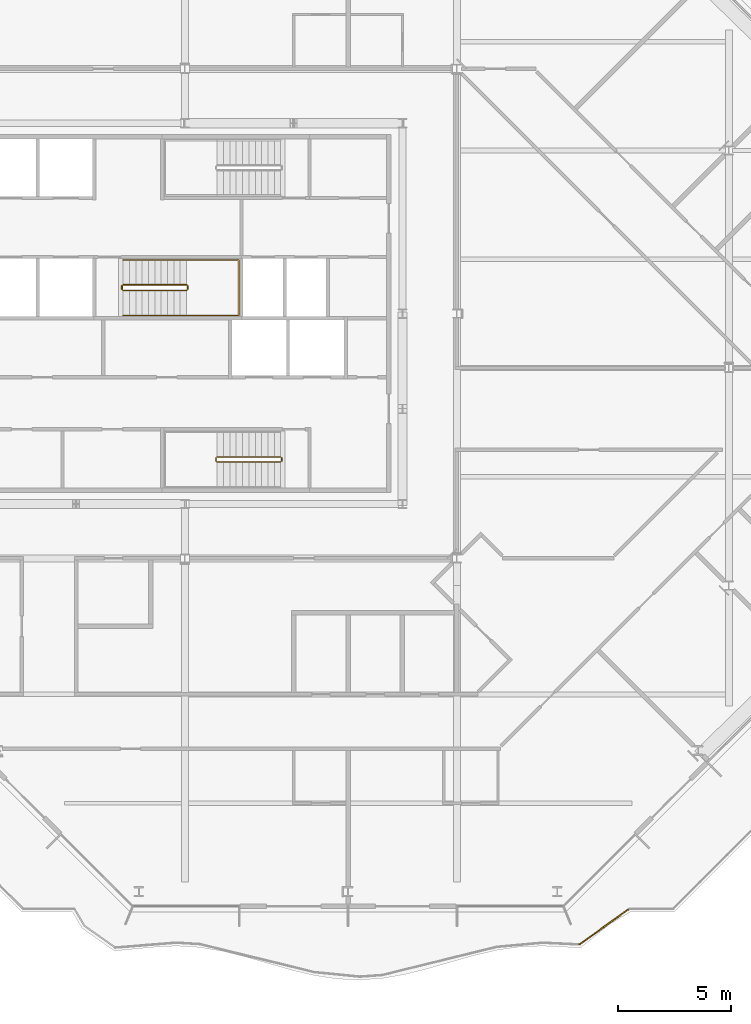
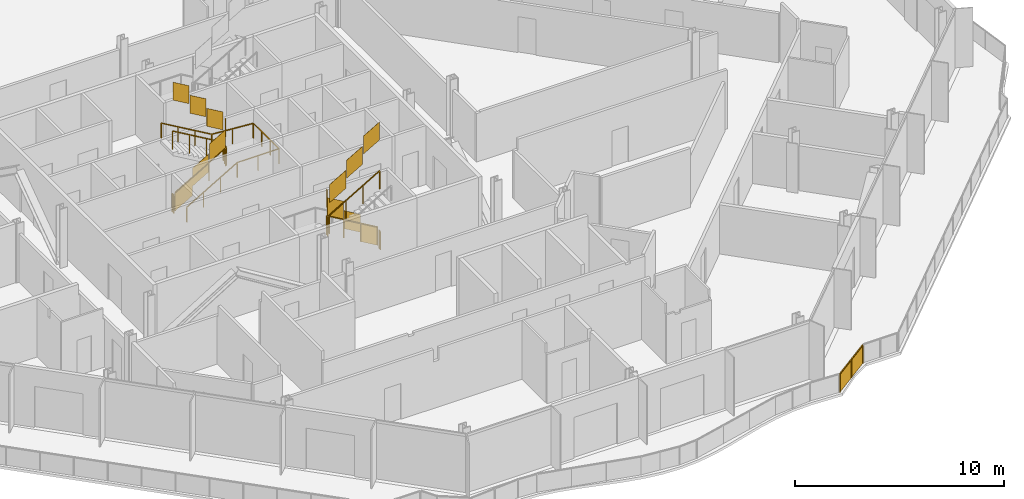
# One storey, part 14 of 17: 6 railings.
"""IFC4 building model written with IfcOpenShell, lengths in metres."""

from ifc_helpers import new_model, si_unit, direction, frame, origin, origin_2d, place, context, subcontext, project, spatial, polyline, rectangle, outline, extrude, material, type_object, element, save


model = new_model("IFC4")

# Units and contexts
model_context = context("Model", 3, precision=1e-05, world=origin(), true_north=direction((0.0, 1.0)))
body_context = subcontext(model_context, "Body", "Model", "MODEL_VIEW")
ifc_project = project(units=[si_unit("LENGTHUNIT", "METRE"), si_unit("AREAUNIT", "SQUARE_METRE"), si_unit("VOLUMEUNIT", "CUBIC_METRE"), si_unit("PLANEANGLEUNIT", "RADIAN"), si_unit("MASSUNIT", "GRAM", prefix="KILO")], contexts=[model_context])

# Site, building, storey
site_placement = place(None, origin())
site = spatial("IfcSite", under=ifc_project, at=site_placement, CompositionType="ELEMENT")
building_placement = place(site_placement, origin())
building = spatial("IfcBuilding", under=site, at=building_placement, Name="Cairn Pilgrim Tower", CompositionType="ELEMENT")
storey_placement = place(building_placement, frame((0.0, 0.0, 210.60009765625)))
storey = spatial("IfcBuildingStorey", under=building, at=storey_placement, Name="L53", CompositionType="ELEMENT", Elevation=210.60009765625)

# Railings
ifc_material_1 = material(Name="Bronze anodised aluminium rail and posts with laminated glass infill", Category="aluminium")
railing_type_1 = type_object("IfcRailingType", Name="BALCONY GUARD 1100", PredefinedType="GUARDRAIL", material=ifc_material_1)
railing_1_placement = place(storey_placement, frame((24.610107421875, -25.429443359375, 0.0)))
element("IfcRailing", 1, at=railing_1_placement, inside=storey, type_object=railing_type_1, Name="Balcony guard BG-24", PredefinedType="GUARDRAIL", context=body_context, shape_type="SweptSolid", body=[
    extrude(rectangle(XDim=0.050048828125, YDim=0.050048828125, at=origin_2d()), frame((0.0, 0.0, 1.0751953125), z_axis=(0.812750670371, 0.582611661238, 0.0), x_axis=(-0.582611661238, 0.812750670371, 0.0)), (0.0, 0.0, 1.0), 2.638427734375),
    extrude(rectangle(XDim=0.050048828125, YDim=0.050048828125, at=origin_2d()), origin(), (0.0, 0.0, 1.0), 1.050048828125),
    extrude(rectangle(XDim=0.050048828125, YDim=0.050048828125, at=origin_2d()), frame((1.072265625, 0.7685546875, 0.0)), (0.0, 0.0, 1.0), 1.050048828125),
    extrude(rectangle(XDim=0.050048828125, YDim=0.050048828125, at=origin_2d()), frame((2.144287109375, 1.537109375, 0.0)), (0.0, 0.0, 1.0), 1.050048828125),
    extrude(outline(polyline([(0.02490234375, 0.0), (1.294189453125, 0.0), (1.294189453125, 1.050048828125), (0.02490234375, 1.050048828125), (0.02490234375, 0.0)])), frame((-0.00341796875, 0.0048828125, 0.0), z_axis=(0.582611661238, -0.812750670371, 0.0), x_axis=(0.812750670371, 0.582611661238, 0.0)), (0.0, 0.0, 1.0), 0.011962890625),
    extrude(outline(polyline([(0.02490234375, 0.0), (1.294189453125, 0.0), (1.294189453125, 1.050048828125), (0.02490234375, 1.050048828125), (0.02490234375, 0.0)])), frame((1.068603515625, 0.7734375, 0.0), z_axis=(0.582611661238, -0.812750670371, 0.0), x_axis=(0.812750670371, 0.582611661238, 0.0)), (0.0, 0.0, 1.0), 0.011962890625),
])
ifc_material_2 = material(Name="Painted steel", Category="steel")
railing_type_2 = type_object("IfcRailingType", Name="STAIR GUARD 1100", PredefinedType="GUARDRAIL", material=ifc_material_2)
railing_2_placement = place(storey_placement, frame((11.425048828125, -3.925048828125, 0.16357421875)))
element("IfcRailing", 2, at=railing_2_placement, inside=storey, type_object=railing_type_2, Name="L53 ST-A stair guard 1", PredefinedType="GUARDRAIL", context=body_context, shape_type="SweptSolid", body=[
    extrude(rectangle(XDim=0.048095703125, YDim=0.048095703125, at=origin_2d()), frame((0.0, 0.0, 1.076171875), z_axis=(-0.863393664356, 0.0, 0.504530851732), x_axis=(0.0, -1.0, 0.0)), (0.0, 0.0, 1.0), 3.2431640625),
    extrude(rectangle(XDim=0.048095703125, YDim=0.048095703125, at=origin_2d()), frame((-2.800048828125, 0.0, 2.71240234375), z_axis=(-0.707106781187, -0.707106781187, 0.0), x_axis=(0.707106781187, -0.707106781187, 0.0)), (0.0, 0.0, 1.0), 0.07080078125),
    extrude(rectangle(XDim=0.048095703125, YDim=0.048095703125, at=origin_2d()), frame((-2.85009765625, -0.050048828125, 2.71240234375), z_axis=(0.0, -1.0, 0.0), x_axis=(1.0, 0.0, 0.0)), (0.0, 0.0, 1.0), 0.125),
    extrude(rectangle(XDim=0.048095703125, YDim=0.048095703125, at=origin_2d()), frame((-2.85009765625, -0.175048828125, 2.71240234375), z_axis=(0.280563532951, -0.279194930351, 0.91833234444), x_axis=(0.705375805398, 0.708833529934, 0.0)), (0.0, 0.0, 1.0), 0.178466796875),
    extrude(rectangle(XDim=0.048095703125, YDim=0.048095703125, at=origin_2d()), frame((-2.800048828125, -0.224853515625, 2.8759765625), z_axis=(0.863393664356, 0.0, 0.504530851732), x_axis=(0.0, 1.0, 0.0)), (0.0, 0.0, 1.0), 3.2431640625),
    extrude(rectangle(XDim=0.0419921875, YDim=0.0419921875, at=origin_2d()), origin(), (0.0, 0.0, 1.0), 1.052001953125),
    extrude(rectangle(XDim=0.0419921875, YDim=0.0419921875, at=origin_2d()), frame((-0.933349609375, 0.0, 0.54541015625)), (0.0, 0.0, 1.0), 1.052001953125),
    extrude(rectangle(XDim=0.0419921875, YDim=0.0419921875, at=origin_2d()), frame((-1.86669921875, 0.0, 1.0908203125)), (0.0, 0.0, 1.0), 1.052001953125),
    extrude(rectangle(XDim=0.0419921875, YDim=0.0419921875, at=origin_2d()), frame((-2.800048828125, 0.0, 1.63623046875)), (0.0, 0.0, 1.0), 1.052001953125),
    extrude(rectangle(XDim=0.0419921875, YDim=0.0419921875, at=origin_2d()), frame((-2.85009765625, -0.050048828125, 1.63623046875)), (0.0, 0.0, 1.0), 1.052001953125),
    extrude(rectangle(XDim=0.0419921875, YDim=0.0419921875, at=origin_2d()), frame((-2.85009765625, -0.175048828125, 1.63623046875)), (0.0, 0.0, 1.0), 1.052001953125),
    extrude(rectangle(XDim=0.0419921875, YDim=0.0419921875, at=origin_2d()), frame((-2.800048828125, -0.224853515625, 1.800048828125)), (0.0, 0.0, 1.0), 1.052001953125),
    extrude(rectangle(XDim=0.0419921875, YDim=0.0419921875, at=origin_2d()), frame((-1.86669921875, -0.224853515625, 2.345458984375)), (0.0, 0.0, 1.0), 1.052001953125),
    extrude(rectangle(XDim=0.0419921875, YDim=0.0419921875, at=origin_2d()), frame((-0.933349609375, -0.224853515625, 2.890869140625)), (0.0, 0.0, 1.0), 1.052001953125),
    extrude(rectangle(XDim=0.0419921875, YDim=0.0419921875, at=origin_2d()), frame((0.0, -0.224853515625, 3.436279296875)), (0.0, 0.0, 1.0), 1.052001953125),
    extrude(outline(polyline([(0.02099609375, 0.01220703125), (0.912353515625, 0.533203125), (0.912353515625, 1.585205078125), (0.02099609375, 1.064208984375), (0.02099609375, 0.01220703125)])), frame((0.0, -0.005859375, 0.0), z_axis=(0.0, 1.0, 0.0), x_axis=(-1.0, 0.0, 0.0)), (0.0, 0.0, 1.0), 0.011962890625),
    extrude(outline(polyline([(0.02099609375, 0.5576171875), (0.912353515625, 1.07861328125), (0.912353515625, 2.130615234375), (0.02099609375, 1.609619140625), (0.02099609375, 0.5576171875)])), frame((-0.933349609375, -0.005859375, 0.54541015625), z_axis=(0.0, 1.0, 0.0), x_axis=(-1.0, 0.0, 0.0)), (0.0, 0.0, 1.0), 0.011962890625),
    extrude(outline(polyline([(0.02099609375, 1.10302734375), (0.912353515625, 1.6240234375), (0.912353515625, 2.676025390625), (0.02099609375, 2.155029296875), (0.02099609375, 1.10302734375)])), frame((-1.86669921875, -0.005859375, 1.0908203125), z_axis=(0.0, 1.0, 0.0), x_axis=(-1.0, 0.0, 0.0)), (0.0, 0.0, 1.0), 0.011962890625),
    extrude(outline(polyline([(0.02099609375, 1.63623046875), (0.10400390625, 1.63623046875), (0.10400390625, 2.688232421875), (0.02099609375, 2.688232421875), (0.02099609375, 1.63623046875)])), frame((-2.84423828125, -0.050048828125, 1.63623046875), z_axis=(-1.0, 0.0, 0.0), x_axis=(0.0, -1.0, 0.0)), (0.0, 0.0, 1.0), 0.011962890625),
    extrude(outline(polyline([(0.02099609375, 1.812255859375), (0.912353515625, 2.333251953125), (0.912353515625, 3.38525390625), (0.02099609375, 2.8642578125), (0.02099609375, 1.812255859375)])), frame((-2.800048828125, -0.21875, 1.800048828125), z_axis=(0.0, -1.0, 0.0), x_axis=(1.0, 0.0, 0.0)), (0.0, 0.0, 1.0), 0.011962890625),
    extrude(outline(polyline([(0.02099609375, 2.357666015625), (0.912353515625, 2.878662109375), (0.912353515625, 3.9306640625), (0.02099609375, 3.40966796875), (0.02099609375, 2.357666015625)])), frame((-1.86669921875, -0.21875, 2.345458984375), z_axis=(0.0, -1.0, 0.0), x_axis=(1.0, 0.0, 0.0)), (0.0, 0.0, 1.0), 0.011962890625),
    extrude(outline(polyline([(0.02099609375, 2.903076171875), (0.912353515625, 3.424072265625), (0.912353515625, 4.47607421875), (0.02099609375, 3.955078125), (0.02099609375, 2.903076171875)])), frame((-0.933349609375, -0.21875, 2.890869140625), z_axis=(0.0, -1.0, 0.0), x_axis=(1.0, 0.0, 0.0)), (0.0, 0.0, 1.0), 0.011962890625),
])
railing_3_placement = place(storey_placement, frame((11.47509765625, -3.97509765625, 0.0)))
element("IfcRailing", 3, at=railing_3_placement, inside=storey, type_object=railing_type_2, Name="L53 ST-A stair guard 2", PredefinedType="GUARDRAIL", context=body_context, shape_type="SweptSolid", body=[
    extrude(rectangle(XDim=0.048095703125, YDim=0.048095703125, at=origin_2d()), frame((0.0, 0.0, 1.076171875), z_axis=(0.0, -1.0, 0.0), x_axis=(1.0, 0.0, 0.0)), (0.0, 0.0, 1.0), 0.125),
    extrude(rectangle(XDim=0.0419921875, YDim=0.0419921875, at=origin_2d()), origin(), (0.0, 0.0, 1.0), 1.052001953125),
    extrude(rectangle(XDim=0.0419921875, YDim=0.0419921875, at=origin_2d()), frame((0.0, -0.125, 0.0)), (0.0, 0.0, 1.0), 1.052001953125),
    extrude(outline(polyline([(0.02099609375, 0.0), (0.10400390625, 0.0), (0.10400390625, 1.052001953125), (0.02099609375, 1.052001953125), (0.02099609375, 0.0)])), frame((0.005859375, 0.0, 0.0), z_axis=(-1.0, 0.0, 0.0), x_axis=(0.0, -1.0, 0.0)), (0.0, 0.0, 1.0), 0.011962890625),
])
railing_4_placement = place(storey_placement, frame((4.47509765625, 3.425048828125, 0.16357421875)))
element("IfcRailing", 4, at=railing_4_placement, inside=storey, type_object=railing_type_2, Name="L53 ST-B stair guard 1", PredefinedType="GUARDRAIL", context=body_context, shape_type="SweptSolid", body=[
    extrude(rectangle(XDim=0.048095703125, YDim=0.048095703125, at=origin_2d()), frame((0.0, 0.0, 1.076171875), z_axis=(0.863374499697, 0.0, 0.504563646405), x_axis=(0.0, 1.0, 0.0)), (0.0, 0.0, 1.0), 3.242919921875),
    extrude(rectangle(XDim=0.048095703125, YDim=0.048095703125, at=origin_2d()), frame((2.7998046875, 0.0, 2.71240234375), z_axis=(0.707106781187, 0.707106781187, 0.0), x_axis=(-0.707106781187, 0.707106781187, 0.0)), (0.0, 0.0, 1.0), 0.07080078125),
    extrude(rectangle(XDim=0.048095703125, YDim=0.048095703125, at=origin_2d()), frame((2.849853515625, 0.050048828125, 2.71240234375), z_axis=(0.0, 1.0, 0.0), x_axis=(-1.0, 0.0, 0.0)), (0.0, 0.0, 1.0), 0.14990234375),
    extrude(rectangle(XDim=0.048095703125, YDim=0.048095703125, at=origin_2d()), frame((2.849853515625, 0.199951171875, 2.71240234375), z_axis=(-0.280456126637, 0.280456126637, 0.917980785237), x_axis=(-0.707106781187, -0.707106781187, 0.0)), (0.0, 0.0, 1.0), 0.178466796875),
    extrude(rectangle(XDim=0.048095703125, YDim=0.048095703125, at=origin_2d()), frame((2.7998046875, 0.25, 2.8759765625), z_axis=(-0.863374499697, 0.0, 0.504563646405), x_axis=(0.0, -1.0, 0.0)), (0.0, 0.0, 1.0), 3.242919921875),
    extrude(rectangle(XDim=0.0419921875, YDim=0.0419921875, at=origin_2d()), origin(), (0.0, 0.0, 1.0), 1.052001953125),
    extrude(rectangle(XDim=0.0419921875, YDim=0.0419921875, at=origin_2d()), frame((0.933349609375, 0.0, 0.54541015625)), (0.0, 0.0, 1.0), 1.052001953125),
    extrude(rectangle(XDim=0.0419921875, YDim=0.0419921875, at=origin_2d()), frame((1.866455078125, 0.0, 1.0908203125)), (0.0, 0.0, 1.0), 1.052001953125),
    extrude(rectangle(XDim=0.0419921875, YDim=0.0419921875, at=origin_2d()), frame((2.7998046875, 0.0, 1.63623046875)), (0.0, 0.0, 1.0), 1.052001953125),
    extrude(rectangle(XDim=0.0419921875, YDim=0.0419921875, at=origin_2d()), frame((2.849853515625, 0.050048828125, 1.63623046875)), (0.0, 0.0, 1.0), 1.052001953125),
    extrude(rectangle(XDim=0.0419921875, YDim=0.0419921875, at=origin_2d()), frame((2.849853515625, 0.199951171875, 1.63623046875)), (0.0, 0.0, 1.0), 1.052001953125),
    extrude(rectangle(XDim=0.0419921875, YDim=0.0419921875, at=origin_2d()), frame((2.7998046875, 0.25, 1.800048828125)), (0.0, 0.0, 1.0), 1.052001953125),
    extrude(rectangle(XDim=0.0419921875, YDim=0.0419921875, at=origin_2d()), frame((1.866455078125, 0.25, 2.345458984375)), (0.0, 0.0, 1.0), 1.052001953125),
    extrude(rectangle(XDim=0.0419921875, YDim=0.0419921875, at=origin_2d()), frame((0.933349609375, 0.25, 2.890869140625)), (0.0, 0.0, 1.0), 1.052001953125),
    extrude(rectangle(XDim=0.0419921875, YDim=0.0419921875, at=origin_2d()), frame((0.0, 0.25, 3.436279296875)), (0.0, 0.0, 1.0), 1.052001953125),
    extrude(outline(polyline([(0.02099609375, 0.01220703125), (0.912353515625, 0.533203125), (0.912353515625, 1.585205078125), (0.02099609375, 1.064208984375), (0.02099609375, 0.01220703125)])), frame((0.0, 0.005859375, 0.0), z_axis=(0.0, -1.0, 0.0), x_axis=(1.0, 0.0, 0.0)), (0.0, 0.0, 1.0), 0.011962890625),
    extrude(outline(polyline([(0.02099609375, 0.5576171875), (0.912353515625, 1.07861328125), (0.912353515625, 2.130615234375), (0.02099609375, 1.609619140625), (0.02099609375, 0.5576171875)])), frame((0.933349609375, 0.005859375, 0.54541015625), z_axis=(0.0, -1.0, 0.0), x_axis=(1.0, 0.0, 0.0)), (0.0, 0.0, 1.0), 0.011962890625),
    extrude(outline(polyline([(0.02099609375, 1.10302734375), (0.912353515625, 1.6240234375), (0.912353515625, 2.676025390625), (0.02099609375, 2.155029296875), (0.02099609375, 1.10302734375)])), frame((1.866455078125, 0.005859375, 1.0908203125), z_axis=(0.0, -1.0, 0.0), x_axis=(1.0, 0.0, 0.0)), (0.0, 0.0, 1.0), 0.011962890625),
    extrude(outline(polyline([(0.02099609375, 1.63623046875), (0.12890625, 1.63623046875), (0.12890625, 2.688232421875), (0.02099609375, 2.688232421875), (0.02099609375, 1.63623046875)])), frame((2.84375, 0.050048828125, 1.63623046875), z_axis=(1.0, 0.0, 0.0), x_axis=(0.0, 1.0, 0.0)), (0.0, 0.0, 1.0), 0.011962890625),
    extrude(outline(polyline([(0.02099609375, 1.812255859375), (0.912353515625, 2.333251953125), (0.912353515625, 3.38525390625), (0.02099609375, 2.8642578125), (0.02099609375, 1.812255859375)])), frame((2.7998046875, 0.244140625, 1.800048828125), z_axis=(0.0, 1.0, 0.0), x_axis=(-1.0, 0.0, 0.0)), (0.0, 0.0, 1.0), 0.011962890625),
    extrude(outline(polyline([(0.02099609375, 2.357666015625), (0.912353515625, 2.878662109375), (0.912353515625, 3.9306640625), (0.02099609375, 3.40966796875), (0.02099609375, 2.357666015625)])), frame((1.866455078125, 0.244140625, 2.345458984375), z_axis=(0.0, 1.0, 0.0), x_axis=(-1.0, 0.0, 0.0)), (0.0, 0.0, 1.0), 0.011962890625),
    extrude(outline(polyline([(0.02099609375, 2.903076171875), (0.912353515625, 3.424072265625), (0.912353515625, 4.47607421875), (0.02099609375, 3.955078125), (0.02099609375, 2.903076171875)])), frame((0.933349609375, 0.244140625, 2.890869140625), z_axis=(0.0, 1.0, 0.0), x_axis=(-1.0, 0.0, 0.0)), (0.0, 0.0, 1.0), 0.011962890625),
])
railing_5_placement = place(storey_placement, frame((4.425048828125, 3.47509765625, 0.0)))
element("IfcRailing", 5, at=railing_5_placement, inside=storey, type_object=railing_type_2, Name="L53 ST-B stair guard 2", PredefinedType="GUARDRAIL", context=body_context, shape_type="SweptSolid", body=[
    extrude(rectangle(XDim=0.048095703125, YDim=0.048095703125, at=origin_2d()), frame((0.0, 0.0, 1.076171875), z_axis=(0.0, 1.0, 0.0), x_axis=(-1.0, 0.0, 0.0)), (0.0, 0.0, 1.0), 0.14990234375),
    extrude(rectangle(XDim=0.0419921875, YDim=0.0419921875, at=origin_2d()), origin(), (0.0, 0.0, 1.0), 1.052001953125),
    extrude(rectangle(XDim=0.0419921875, YDim=0.0419921875, at=origin_2d()), frame((0.0, 0.14990234375, 0.0)), (0.0, 0.0, 1.0), 1.052001953125),
    extrude(outline(polyline([(0.02099609375, 0.0), (0.12890625, 0.0), (0.12890625, 1.052001953125), (0.02099609375, 1.052001953125), (0.02099609375, 0.0)])), frame((-0.005859375, 0.0, 0.0), z_axis=(1.0, 0.0, 0.0), x_axis=(0.0, 1.0, 0.0)), (0.0, 0.0, 1.0), 0.011962890625),
])
railing_type_3 = type_object("IfcRailingType", Name="STAIR HANDRAIL 900", PredefinedType="HANDRAIL", material=ifc_material_2)
railing_6_placement = place(storey_placement, frame((4.47509765625, 2.324951171875, 0.16357421875)))
element("IfcRailing", 6, at=railing_6_placement, inside=storey, type_object=railing_type_3, Name="L53 ST-B stair handrail 1", PredefinedType="HANDRAIL", context=body_context, shape_type="SweptSolid", body=[
    extrude(rectangle(XDim=0.048095703125, YDim=0.048095703125, at=origin_2d()), frame((0.0, 0.0, 0.8759765625), z_axis=(0.863374499697, 0.0, 0.504563646405), x_axis=(0.0, 1.0, 0.0)), (0.0, 0.0, 1.0), 3.242919921875),
    extrude(rectangle(XDim=0.048095703125, YDim=0.048095703125, at=origin_2d()), frame((2.7998046875, 0.0, 2.51220703125), z_axis=(1.0, 0.0, 0.0), x_axis=(0.0, 1.0, 0.0)), (0.0, 0.0, 1.0), 2.300048828125),
    extrude(rectangle(XDim=0.048095703125, YDim=0.048095703125, at=origin_2d()), frame((5.099853515625, 0.0, 2.51220703125), z_axis=(0.0, 1.0, 0.0), x_axis=(-1.0, 0.0, 0.0)), (0.0, 0.0, 1.0), 2.449951171875),
    extrude(rectangle(XDim=0.048095703125, YDim=0.048095703125, at=origin_2d()), frame((5.099853515625, 2.449951171875, 2.51220703125), z_axis=(-0.99747319029, 0.0, 0.071043892441), x_axis=(0.0, -1.0, 0.0)), (0.0, 0.0, 1.0), 2.305908203125),
    extrude(rectangle(XDim=0.048095703125, YDim=0.048095703125, at=origin_2d()), frame((2.7998046875, 2.449951171875, 2.67578125), z_axis=(-0.863374499697, 0.0, 0.504563646405), x_axis=(0.0, -1.0, 0.0)), (0.0, 0.0, 1.0), 3.242919921875),
    extrude(rectangle(XDim=0.0419921875, YDim=0.0419921875, at=origin_2d()), origin(), (0.0, 0.0, 1.0), 0.851806640625),
    extrude(rectangle(XDim=0.0419921875, YDim=0.0419921875, at=origin_2d()), frame((0.933349609375, 0.0, 0.54541015625)), (0.0, 0.0, 1.0), 0.851806640625),
    extrude(rectangle(XDim=0.0419921875, YDim=0.0419921875, at=origin_2d()), frame((1.866455078125, 0.0, 1.0908203125)), (0.0, 0.0, 1.0), 0.851806640625),
    extrude(rectangle(XDim=0.0419921875, YDim=0.0419921875, at=origin_2d()), frame((2.7998046875, 0.0, 1.63623046875)), (0.0, 0.0, 1.0), 0.851806640625),
    extrude(rectangle(XDim=0.0419921875, YDim=0.0419921875, at=origin_2d()), frame((3.94970703125, 0.0, 1.63623046875)), (0.0, 0.0, 1.0), 0.851806640625),
    extrude(rectangle(XDim=0.0419921875, YDim=0.0419921875, at=origin_2d()), frame((5.099853515625, 0.0, 1.63623046875)), (0.0, 0.0, 1.0), 0.851806640625),
    extrude(rectangle(XDim=0.0419921875, YDim=0.0419921875, at=origin_2d()), frame((5.099853515625, 0.816650390625, 1.63623046875)), (0.0, 0.0, 1.0), 0.851806640625),
    extrude(rectangle(XDim=0.0419921875, YDim=0.0419921875, at=origin_2d()), frame((5.099853515625, 1.63330078125, 1.63623046875)), (0.0, 0.0, 1.0), 0.851806640625),
    extrude(rectangle(XDim=0.0419921875, YDim=0.0419921875, at=origin_2d()), frame((5.099853515625, 2.449951171875, 1.63623046875)), (0.0, 0.0, 1.0), 0.851806640625),
    extrude(rectangle(XDim=0.0419921875, YDim=0.0419921875, at=origin_2d()), frame((3.94970703125, 2.449951171875, 1.71826171875)), (0.0, 0.0, 1.0), 0.851806640625),
    extrude(rectangle(XDim=0.0419921875, YDim=0.0419921875, at=origin_2d()), frame((2.7998046875, 2.449951171875, 1.800048828125)), (0.0, 0.0, 1.0), 0.851806640625),
    extrude(rectangle(XDim=0.0419921875, YDim=0.0419921875, at=origin_2d()), frame((1.866455078125, 2.449951171875, 2.345458984375)), (0.0, 0.0, 1.0), 0.851806640625),
    extrude(rectangle(XDim=0.0419921875, YDim=0.0419921875, at=origin_2d()), frame((0.933349609375, 2.449951171875, 2.890869140625)), (0.0, 0.0, 1.0), 0.851806640625),
    extrude(rectangle(XDim=0.0419921875, YDim=0.0419921875, at=origin_2d()), frame((0.0, 2.449951171875, 3.436279296875)), (0.0, 0.0, 1.0), 0.851806640625),
])

save(model, "model.ifc")
